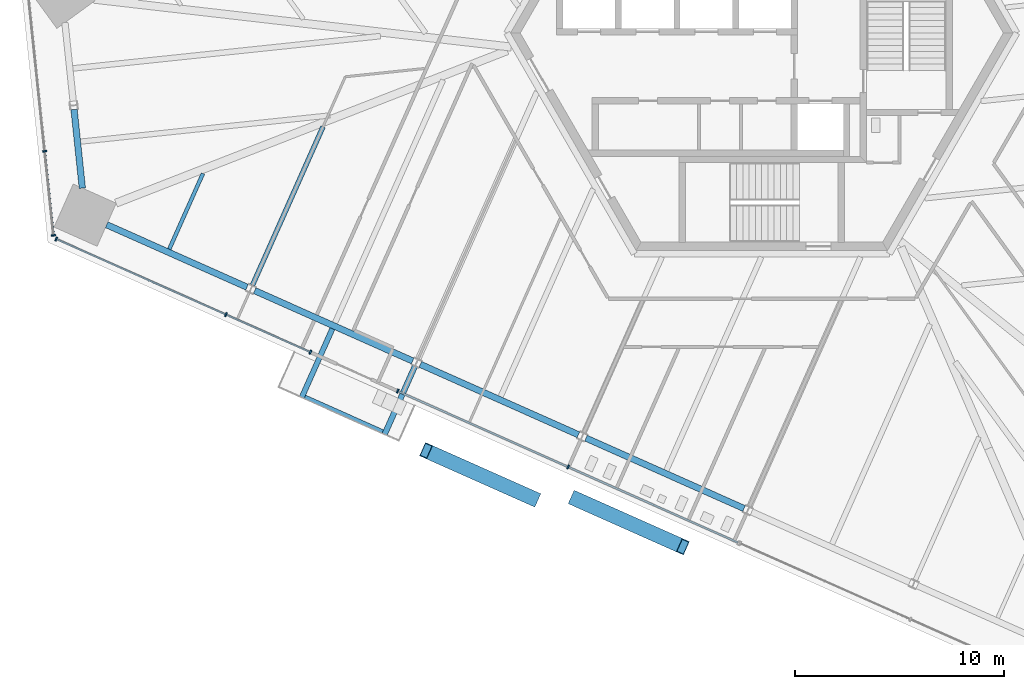
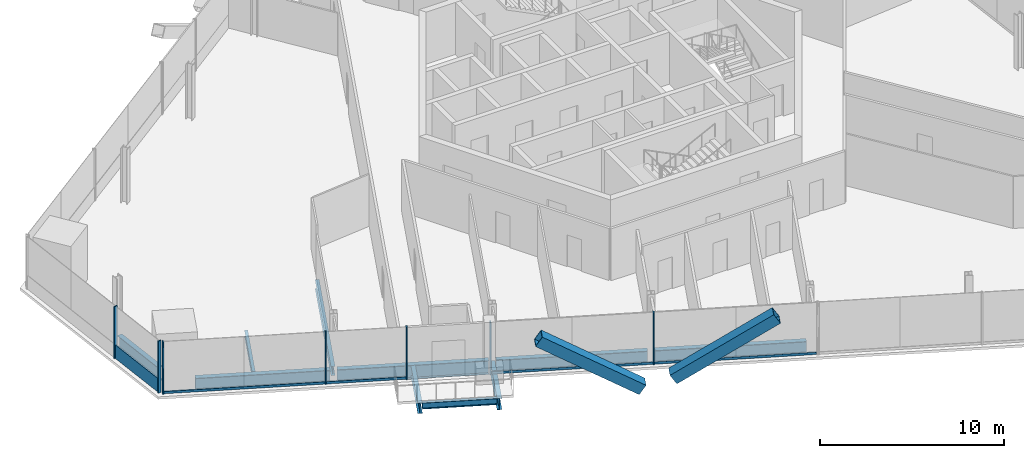
# One storey, part 3 of 19: 14 members, 10 beams, 3 elements without a shape of their own.
"""IFC4 building model written with IfcOpenShell, lengths in metres."""

from ifc_helpers import new_model, si_unit, direction, frame, origin, origin_2d, place, context, subcontext, project, spatial, rectangle, hollow_rectangle, i_section, extrude, source, transform, mapped, material, material_profile, profile_set, type_object, element, aggregate, save


model = new_model("IFC4")

# Units and contexts
model_context = context("Model", 3, precision=1e-05, world=origin(), true_north=direction((0.0, 1.0)))
body_context = subcontext(model_context, "Body", "Model", "MODEL_VIEW")
ifc_project = project(units=[si_unit("LENGTHUNIT", "METRE"), si_unit("AREAUNIT", "SQUARE_METRE"), si_unit("VOLUMEUNIT", "CUBIC_METRE"), si_unit("PLANEANGLEUNIT", "RADIAN"), si_unit("MASSUNIT", "GRAM", prefix="KILO")], contexts=[model_context])

# Site, building, storey
site_placement = place(None, origin())
site = spatial("IfcSite", under=ifc_project, at=site_placement, CompositionType="ELEMENT")
building_placement = place(site_placement, origin())
building = spatial("IfcBuilding", under=site, at=building_placement, Name="Triune Harvest Tower", CompositionType="ELEMENT")
storey_placement = place(building_placement, frame((0.0, 0.0, 76.5)))
storey = spatial("IfcBuildingStorey", under=building, at=storey_placement, Name="L18", CompositionType="ELEMENT", Elevation=76.5)

# Member
ifc_material_1 = material(Name="Steel ASTM A572 Gr 50", Category="steel")
ifc_material_profile_1 = material_profile(ifc_material_1, hollow_rectangle(XDim=0.699951171875, YDim=0.699951171875, WallThickness=0.0400390625, at=origin_2d()), Name="Box 700x700x40")
ifc_profile_set_1 = profile_set([ifc_material_profile_1], Name="Steel ASTM A572 Gr 50")
member_type_1 = type_object("IfcMemberType", Name="BR-1 Brace Box 700x700x40", PredefinedType="BRACE", material=ifc_profile_set_1)
member_1_placement = place(storey_placement, frame((-10.871826171875, -22.24951171875, 0.0), z_axis=(-0.770574964733, 0.343088895903, 0.53712590073), x_axis=(-0.406743388258, -0.913542454464, 0.0)))
element("IfcMember", 1, at=member_1_placement, inside=storey, type_object=member_type_1, Name="brace/B2-F5/d2/6", PredefinedType="BRACE", context=body_context, shape_type="SweptSolid", body=[
    extrude(hollow_rectangle(XDim=0.699951171875, YDim=0.699951171875, WallThickness=0.0400390625, at=origin_2d()), origin(), (0.0, 0.0, 1.0), 6.70263671875),
])

# Beams
ifc_material_2 = material(Name="Steel ASTM A992 Gr 50", Category="steel")
ifc_material_profile_2 = material_profile(ifc_material_2, i_section(OverallWidth=0.3046875, OverallDepth=0.914306640625, WebThickness=0.0166015625, FlangeThickness=0.02587890625, at=origin_2d()), Name="W36x160")
ifc_profile_set_2 = profile_set([ifc_material_profile_2], Name="Steel ASTM A992 Gr 50")
beam_type_1 = type_object("IfcBeamType", Name="SB-1 Spandrel beam W36x160", PredefinedType="SPANDREL", material=ifc_profile_set_2)
shared_shape_1 = source(origin(), body_context, "Body", "SweptSolid", [
    extrude(i_section(OverallWidth=0.3046875, OverallDepth=0.914306640625, WebThickness=0.0166015625, FlangeThickness=0.02587890625, at=origin_2d()), origin(), (0.0, 0.0, 1.0), 7.337890625),
])
beam_1_placement = place(storey_placement, frame((-31.29150390625, -9.156982421875, -0.6171875), z_axis=(0.913558923036, -0.40670639796, 0.0), x_axis=(0.40670639796, 0.913558923036, 0.0)))
element("IfcBeam", 2, at=beam_1_placement, inside=storey, type_object=beam_type_1, Name="beam/L18/SB17", PredefinedType="SPANDREL", context=body_context, shape_type="MappedRepresentation", body=[
    mapped(shared_shape_1, transform((0.0, 0.0, 0.0), scale=1.0)),
])
shared_shape_2 = source(origin(), body_context, "Body", "SweptSolid", [
    extrude(i_section(OverallWidth=0.3046875, OverallDepth=0.914306640625, WebThickness=0.0166015625, FlangeThickness=0.02587890625, at=origin_2d()), origin(), (0.0, 0.0, 1.0), 8.263427734375),
])
for number, where, z_axis, x_axis, name in (
    (3, (-24.2236328125, -12.3037109375, -0.6171875), (0.913544537455, -0.406738709846, 0.0), (0.406738709846, 0.913544537455, 0.0), "beam/L18/SB18"),
    (4, (-16.310302734375, -15.826904296875, -0.6171875), (0.913544537455, -0.406738709846, 0.0), (0.406738709846, 0.913544537455, 0.0), "beam/L18/SB19"),
    (5, (-8.39697265625, -19.35009765625, -0.6171875), (0.913544537455, -0.406738709846, 0.0), (0.406738709846, 0.913544537455, 0.0), "beam/L18/SB20"),
):
    element("IfcBeam", number, at=place(storey_placement, frame(where, z_axis=z_axis, x_axis=x_axis)), inside=storey, type_object=beam_type_1, Name=name, PredefinedType="SPANDREL", context=body_context, shape_type="MappedRepresentation", body=[
        mapped(shared_shape_2, transform((0.0, 0.0, 0.0), scale=1.0)),
    ])
shared_shape_3 = source(origin(), body_context, "Body", "SweptSolid", [
    extrude(i_section(OverallWidth=0.3046875, OverallDepth=0.914306640625, WebThickness=0.0166015625, FlangeThickness=0.02587890625, at=origin_2d()), origin(), (0.0, 0.0, 1.0), 3.775146484375),
])
beam_2_placement = place(storey_placement, frame((-32.849609375, -3.653076171875, -0.6171875), z_axis=(0.104573690763, -0.994517140727, 0.0), x_axis=(0.994517140727, 0.104573690763, 0.0)))
element("IfcBeam", 6, at=beam_2_placement, inside=storey, type_object=beam_type_1, Name="beam/L18/SB16", PredefinedType="SPANDREL", context=body_context, shape_type="MappedRepresentation", body=[
    mapped(shared_shape_3, transform((0.0, 0.0, 0.0), scale=1.0)),
])
ifc_material_3 = material(Name="Steel ASTM A992 Gr 50", Category="steel")
ifc_material_profile_3 = material_profile(ifc_material_3, i_section(OverallWidth=0.180908203125, OverallDepth=0.41650390625, WebThickness=0.010986328125, FlangeThickness=0.01806640625, at=origin_2d()), Name="W16x57")
ifc_profile_set_3 = profile_set([ifc_material_profile_3], Name="Steel ASTM A992 Gr 50")
beam_type_2 = type_object("IfcBeamType", Name="JT-1 Floor joist W16x57", PredefinedType="JOIST", material=ifc_profile_set_3)
shared_shape_4 = source(origin(), body_context, "Body", "SweptSolid", [
    extrude(i_section(OverallWidth=0.180908203125, OverallDepth=0.41650390625, WebThickness=0.010986328125, FlangeThickness=0.01806640625, at=origin_2d()), origin(), (0.0, 0.0, 1.0), 3.95068359375),
])
beam_3_placement = place(storey_placement, frame((-28.300537109375, -10.32177734375, -0.368408203125), z_axis=(0.406746150359, 0.913541224668, 0.0), x_axis=(-0.913541224668, 0.406746150359, 0.0)))
element("IfcBeam", 7, at=beam_3_placement, inside=storey, type_object=beam_type_2, Name="beam/L18/JT27", PredefinedType="JOIST", context=body_context, shape_type="MappedRepresentation", body=[
    mapped(shared_shape_4, transform((0.0, 0.0, 0.0), scale=1.0)),
])
ifc_material_4 = material(Name="Steel ASTM A992 Gr 50", Category="steel")
ifc_material_profile_4 = material_profile(ifc_material_4, i_section(OverallWidth=0.22900390625, OverallDepth=0.612060546875, WebThickness=0.011962890625, FlangeThickness=0.01953125, at=origin_2d()), Name="W24x84")
ifc_profile_set_4 = profile_set([ifc_material_profile_4], Name="Steel ASTM A992 Gr 50")
beam_type_3 = type_object("IfcBeamType", Name="JT-3 Floor joist W24x84", PredefinedType="JOIST", material=ifc_profile_set_4)
shared_shape_5 = source(origin(), body_context, "Body", "SweptSolid", [
    extrude(i_section(OverallWidth=0.22900390625, OverallDepth=0.612060546875, WebThickness=0.011962890625, FlangeThickness=0.01953125, at=origin_2d()), origin(), (0.0, 0.0, 1.0), 8.28173828125),
])
beam_4_placement = place(storey_placement, frame((-24.32568359375, -12.042724609375, -0.466064453125), z_axis=(0.406731926006, 0.913547557803, 0.0), x_axis=(-0.913547557803, 0.406731926006, 0.0)))
element("IfcBeam", 8, at=beam_4_placement, inside=storey, type_object=beam_type_3, Name="beam/L18/JT28", PredefinedType="JOIST", context=body_context, shape_type="MappedRepresentation", body=[
    mapped(shared_shape_5, transform((0.0, 0.0, 0.0), scale=1.0)),
])

# Member
shared_shape_6 = source(origin(), body_context, "Body", "SweptSolid", [
    extrude(hollow_rectangle(XDim=0.699951171875, YDim=0.699951171875, WallThickness=0.0400390625, at=origin_2d()), origin(), (0.0, 0.0, 1.0), 6.702392578125),
])
member_2_placement = place(storey_placement, frame((-8.934326171875, -22.236328125, 0.0), z_axis=(0.770560167678, -0.343098526017, 0.537140977242), x_axis=(0.40675943476, 0.91353530979, 0.0)))
element("IfcMember", 9, at=member_2_placement, inside=storey, type_object=member_type_1, Name="brace/B2-F5/d1/6", PredefinedType="BRACE", context=body_context, shape_type="MappedRepresentation", body=[
    mapped(shared_shape_6, transform((0.0, 0.0, 0.0), scale=1.0)),
])

# Curtain wall, members
ifc_material_5 = material(Name="Aluminium bronze anodised", Category="aluminium")
curtain_wall_type_1 = type_object("IfcCurtainWallType", Name="CW-1 Tower stick curtain wall", PredefinedType="NOTDEFINED", material=ifc_material_5)
curtain_wall_1_placement = place(storey_placement, origin())
curtain_wall_1 = element("IfcCurtainWall", 10, at=curtain_wall_1_placement, inside=storey, type_object=curtain_wall_type_1, Name="CW-1 B2-F4 L18 run 1")
ifc_material_6 = material(Name="Aluminium bronze anodised", Category="aluminium")
ifc_material_profile_5 = material_profile(ifc_material_6, rectangle(XDim=0.199951171875, YDim=0.074951171875, at=origin_2d()), Name="MU-1 mullion 75 x 200")
ifc_profile_set_5 = profile_set([ifc_material_profile_5], Name="Aluminium bronze anodised")
member_type_2 = type_object("IfcMemberType", Name="MU-1 mullion 75 x 200", PredefinedType="MULLION", material=ifc_profile_set_5)
shared_shape_7 = source(origin(), body_context, "Body", "SweptSolid", [
    extrude(rectangle(XDim=0.199951171875, YDim=0.074951171875, at=origin_2d()), origin(), (0.0, 0.0, 1.0), 3.43994140625),
])
member_3_placement = place(storey_placement, frame((-34.25390625, -5.648193359375, 0.0), z_axis=(0.0, 0.0, 1.0), x_axis=(0.994521790334, 0.104529462601, 0.0)))
member_3 = element("IfcMember", 11, at=member_3_placement, type_object=member_type_2, Name="CW-1 mullion B2-F4 1.3", PredefinedType="MULLION", context=body_context, shape_type="MappedRepresentation", body=[
    mapped(shared_shape_7, transform((0.0, 0.0, 0.0), scale=1.0)),
])
member_4_placement = place(storey_placement, frame((-33.83203125, -9.662109375, 0.0), z_axis=(0.0, 0.0, 1.0), x_axis=(0.994521790334, 0.104529462601, 0.0)))
member_4 = element("IfcMember", 12, at=member_4_placement, type_object=member_type_2, Name="CW-1 mullion B2-F4 1.4", PredefinedType="MULLION", context=body_context, shape_type="MappedRepresentation", body=[
    mapped(shared_shape_7, transform((0.0, 0.0, 0.0), scale=1.0)),
])
ifc_material_7 = material(Name="Aluminium bronze anodised", Category="aluminium")
ifc_material_profile_6 = material_profile(ifc_material_7, rectangle(XDim=0.090087890625, YDim=0.89990234375, at=origin_2d()), Name="TR-1 transom 90 x 900")
ifc_profile_set_6 = profile_set([ifc_material_profile_6], Name="Aluminium bronze anodised")
member_type_3 = type_object("IfcMemberType", Name="TR-1 transom 90 x 900", PredefinedType="USERDEFINED", material=ifc_profile_set_6)
shared_shape_8 = source(origin(), body_context, "Body", "SweptSolid", [
    extrude(rectangle(XDim=0.090087890625, YDim=0.89990234375, at=origin_2d()), origin(), (0.0, 0.0, 1.0), 3.9609375),
])
member_5_placement = place(storey_placement, frame((-34.25, -5.685546875, 0.449951171875), z_axis=(0.104537191117, -0.994520977996, 0.0), x_axis=(0.994520977996, 0.104537191117, 0.0)))
member_5 = element("IfcMember", 13, at=member_5_placement, type_object=member_type_3, Name="CW-1 transom B2-F4 1.2", ObjectType="TRANSOM", PredefinedType="USERDEFINED", context=body_context, shape_type="MappedRepresentation", body=[
    mapped(shared_shape_8, transform((0.0, 0.0, 0.0), scale=1.0)),
])
aggregate(curtain_wall_1, [member_3, member_4, member_5])

ifc_material_8 = material(Name="Aluminium bronze anodised", Category="aluminium")
curtain_wall_type_2 = type_object("IfcCurtainWallType", Name="CW-6 Balcony window wall", PredefinedType="NOTDEFINED", material=ifc_material_8)
curtain_wall_2_placement = place(storey_placement, origin())
curtain_wall_2 = element("IfcCurtainWall", 14, at=curtain_wall_2_placement, inside=storey, type_object=curtain_wall_type_2, Name="CW-6 B2-F5 L18 run 1")
ifc_material_9 = material(Name="Aluminium bronze anodised", Category="aluminium")
ifc_material_profile_7 = material_profile(ifc_material_9, rectangle(XDim=0.199951171875, YDim=0.074951171875, at=origin_2d()), Name="MU-6 mullion 75 x 200")
ifc_profile_set_7 = profile_set([ifc_material_profile_7], Name="Aluminium bronze anodised")
member_type_4 = type_object("IfcMemberType", Name="MU-6 mullion 75 x 200", PredefinedType="MULLION", material=ifc_profile_set_7)
shared_shape_9 = source(origin(), body_context, "Body", "SweptSolid", [
    extrude(rectangle(XDim=0.199951171875, YDim=0.074951171875, at=origin_2d()), origin(), (0.0, 0.0, 1.0), 3.43994140625),
])
member_6_placement = place(storey_placement, frame((-33.7021484375, -9.840576171875, 0.0), z_axis=(0.0, 0.0, 1.0), x_axis=(0.406737205721, 0.913545207137, 0.0)))
member_6 = element("IfcMember", 15, at=member_6_placement, type_object=member_type_4, Name="CW-6 mullion B2-F5 1.1", PredefinedType="MULLION", context=body_context, shape_type="MappedRepresentation", body=[
    mapped(shared_shape_9, transform((0.0, 0.0, 0.0), scale=1.0)),
])
member_7_placement = place(storey_placement, frame((-25.595703125, -13.449951171875, 0.0), z_axis=(0.0, 0.0, 1.0), x_axis=(0.406737205721, 0.913545207137, 0.0)))
member_7 = element("IfcMember", 16, at=member_7_placement, type_object=member_type_4, Name="CW-6 mullion B2-F5 1.3", PredefinedType="MULLION", context=body_context, shape_type="MappedRepresentation", body=[
    mapped(shared_shape_9, transform((0.0, 0.0, 0.0), scale=1.0)),
])
member_8_placement = place(storey_placement, frame((-21.5595703125, -15.246826171875, 0.0), z_axis=(0.0, 0.0, 1.0), x_axis=(0.406737205721, 0.913545207137, 0.0)))
member_8 = element("IfcMember", 17, at=member_8_placement, type_object=member_type_4, Name="CW-6 mullion B2-F5 1.4", PredefinedType="MULLION", context=body_context, shape_type="MappedRepresentation", body=[
    mapped(shared_shape_9, transform((0.0, 0.0, 0.0), scale=1.0)),
])

ifc_material_10 = material(Name="Aluminium bronze anodised", Category="aluminium")
curtain_wall_type_3 = type_object("IfcCurtainWallType", Name="CW-10 Balcony window wall with insulated spandrel infill", PredefinedType="NOTDEFINED", material=ifc_material_10)
curtain_wall_3_placement = place(storey_placement, origin())
curtain_wall_3 = element("IfcCurtainWall", 18, at=curtain_wall_3_placement, inside=storey, type_object=curtain_wall_type_3, Name="CW-10 B2-F5 L18 run 2")
member_9_placement = place(storey_placement, frame((-17.393310546875, -17.101806640625, 0.0), z_axis=(0.0, 0.0, 1.0), x_axis=(0.406737155783, 0.91354522937, 0.0)))
member_9 = element("IfcMember", 19, at=member_9_placement, type_object=member_type_4, Name="CW-10 mullion B2-F5 2.1", PredefinedType="MULLION", context=body_context, shape_type="MappedRepresentation", body=[
    mapped(shared_shape_9, transform((0.0, 0.0, 0.0), scale=1.0)),
])
member_10_placement = place(storey_placement, frame((-9.25244140625, -20.726318359375, 0.0), z_axis=(0.0, 0.0, 1.0), x_axis=(0.406737155783, 0.91354522937, 0.0)))
member_10 = element("IfcMember", 20, at=member_10_placement, type_object=member_type_4, Name="CW-10 mullion B2-F5 2.3", PredefinedType="MULLION", context=body_context, shape_type="MappedRepresentation", body=[
    mapped(shared_shape_9, transform((0.0, 0.0, 0.0), scale=1.0)),
])

# Beams
ifc_material_11 = material(Name="Steel ASTM A992 Gr 50", Category="steel")
ifc_material_profile_8 = material_profile(ifc_material_11, i_section(OverallWidth=0.253662109375, OverallDepth=0.683349609375, WebThickness=0.012451171875, FlangeThickness=0.01904296875, at=origin_2d()), Name="W27x94")
ifc_profile_set_8 = profile_set([ifc_material_profile_8], Name="Steel ASTM A992 Gr 50")
beam_type_4 = type_object("IfcBeamType", Name="BJ-4 Balcony cantilever joist W27x94", PredefinedType="JOIST", material=ifc_profile_set_8)
shared_shape_10 = source(origin(), body_context, "Body", "SweptSolid", [
    extrude(i_section(OverallWidth=0.253662109375, OverallDepth=0.683349609375, WebThickness=0.012451171875, FlangeThickness=0.01904296875, at=origin_2d()), origin(), (0.0, 0.0, 1.0), 3.59765625),
])
beam_5_placement = place(storey_placement, frame((-20.510986328125, -14.123291015625, -0.501708984375), z_axis=(-0.406755413658, -0.91353710021, 0.0), x_axis=(0.91353710021, -0.406755413658, 0.0)))
element("IfcBeam", 21, at=beam_5_placement, inside=storey, type_object=beam_type_4, Name="Balcony cantilever joist B2-F5 L18.4a", PredefinedType="JOIST", context=body_context, shape_type="MappedRepresentation", body=[
    mapped(shared_shape_10, transform((0.0, 0.0, 0.0), scale=1.0)),
])
ifc_material_12 = material(Name="Steel ASTM A992 Gr 50", Category="steel")
ifc_material_profile_9 = material_profile(ifc_material_12, i_section(OverallWidth=0.180908203125, OverallDepth=0.41650390625, WebThickness=0.010986328125, FlangeThickness=0.01806640625, at=origin_2d()), Name="W16x57")
ifc_profile_set_9 = profile_set([ifc_material_profile_9], Name="Steel ASTM A992 Gr 50")
beam_type_5 = type_object("IfcBeamType", Name="BE-1 balcony edge beam W16x57", PredefinedType="BEAM", material=ifc_profile_set_9)
shared_shape_11 = source(origin(), body_context, "Body", "SweptSolid", [
    extrude(i_section(OverallWidth=0.180908203125, OverallDepth=0.41650390625, WebThickness=0.010986328125, FlangeThickness=0.01806640625, at=origin_2d()), origin(), (0.0, 0.0, 1.0), 4.07080078125),
])
beam_6_placement = place(storey_placement, frame((-21.821533203125, -17.37890625, -0.368408203125), z_axis=(0.913539292034, -0.406750490978, 0.0), x_axis=(0.406750490978, 0.913539292034, 0.0)))
element("IfcBeam", 22, at=beam_6_placement, inside=storey, type_object=beam_type_5, Name="Balcony edge beam B2-F5 L18.4", PredefinedType="BEAM", context=body_context, shape_type="MappedRepresentation", body=[
    mapped(shared_shape_11, transform((0.0, 0.0, 0.0), scale=1.0)),
])

# Member
ifc_material_13 = material(Name="Aluminium bronze anodised", Category="aluminium")
ifc_material_profile_10 = material_profile(ifc_material_13, rectangle(XDim=0.090087890625, YDim=0.14990234375, at=origin_2d()), Name="TR-6 transom 90 x 150")
ifc_profile_set_10 = profile_set([ifc_material_profile_10], Name="Aluminium bronze anodised")
member_type_5 = type_object("IfcMemberType", Name="TR-6 transom 90 x 150", PredefinedType="USERDEFINED", material=ifc_profile_set_10)
shared_shape_12 = source(origin(), body_context, "Body", "SweptSolid", [
    extrude(rectangle(XDim=0.090087890625, YDim=0.14990234375, at=origin_2d()), origin(), (0.0, 0.0, 1.0), 8.836181640625),
])
member_11_placement = place(storey_placement, frame((-9.21826171875, -20.74169921875, 0.074951171875), z_axis=(0.913545881142, -0.406735691879, 0.0), x_axis=(0.406735691879, 0.913545881142, 0.0)))
member_11 = element("IfcMember", 23, at=member_11_placement, type_object=member_type_5, Name="CW-10 transom B2-F5 2.2", ObjectType="TRANSOM", PredefinedType="USERDEFINED", context=body_context, shape_type="MappedRepresentation", body=[
    mapped(shared_shape_12, transform((0.0, 0.0, 0.0), scale=1.0)),
])

shared_shape_13 = source(origin(), body_context, "Body", "SweptSolid", [
    extrude(rectangle(XDim=0.090087890625, YDim=0.14990234375, at=origin_2d()), origin(), (0.0, 0.0, 1.0), 8.798828125),
])
member_12_placement = place(storey_placement, frame((-33.66796875, -9.85595703125, 0.074951171875), z_axis=(0.913552769807, -0.406720219288, 0.0), x_axis=(0.406720219288, 0.913552769807, 0.0)))
member_12 = element("IfcMember", 24, at=member_12_placement, type_object=member_type_5, Name="CW-6 transom B2-F5 1.1", ObjectType="TRANSOM", PredefinedType="USERDEFINED", context=body_context, shape_type="MappedRepresentation", body=[
    mapped(shared_shape_13, transform((0.0, 0.0, 0.0), scale=1.0)),
])

shared_shape_14 = source(origin(), body_context, "Body", "SweptSolid", [
    extrude(rectangle(XDim=0.090087890625, YDim=0.14990234375, at=origin_2d()), origin(), (0.0, 0.0, 1.0), 4.343017578125),
])
member_13_placement = place(storey_placement, frame((-25.561279296875, -13.465087890625, 0.074951171875), z_axis=(0.913533162076, -0.406764258248, 0.0), x_axis=(0.406764258248, 0.913533162076, 0.0)))
member_13 = element("IfcMember", 25, at=member_13_placement, type_object=member_type_5, Name="CW-6 transom B2-F5 1.2", ObjectType="TRANSOM", PredefinedType="USERDEFINED", context=body_context, shape_type="MappedRepresentation", body=[
    mapped(shared_shape_14, transform((0.0, 0.0, 0.0), scale=1.0)),
])

aggregate(curtain_wall_2, [member_6, member_7, member_8, member_12, member_13])

# Beam
ifc_material_14 = material(Name="Steel ASTM A992 Gr 50", Category="steel")
ifc_material_profile_11 = material_profile(ifc_material_14, i_section(OverallWidth=0.2666015625, OverallDepth=0.7568359375, WebThickness=0.013916015625, FlangeThickness=0.019287109375, at=origin_2d()), Name="W30x108")
ifc_profile_set_11 = profile_set([ifc_material_profile_11], Name="Steel ASTM A992 Gr 50")
beam_type_6 = type_object("IfcBeamType", Name="BJ-5 Balcony cantilever joist W30x108", PredefinedType="JOIST", material=ifc_profile_set_11)
shared_shape_15 = source(origin(), body_context, "Body", "SweptSolid", [
    extrude(i_section(OverallWidth=0.2666015625, OverallDepth=0.7568359375, WebThickness=0.013916015625, FlangeThickness=0.019287109375, at=origin_2d()), origin(), (0.0, 0.0, 1.0), 3.597412109375),
])
beam_7_placement = place(storey_placement, frame((-16.554443359375, -15.885009765625, -0.53857421875), z_axis=(-0.406723993675, -0.913551089414, 0.0), x_axis=(0.913551089414, -0.406723993675, 0.0)))
element("IfcBeam", 26, at=beam_7_placement, inside=storey, type_object=beam_type_6, Name="Balcony cantilever joist B2-F5 L18.4b", PredefinedType="JOIST", context=body_context, shape_type="MappedRepresentation", body=[
    mapped(shared_shape_15, transform((0.0, 0.0, 0.0), scale=1.0)),
])

# Member
shared_shape_16 = source(origin(), body_context, "Body", "SweptSolid", [
    extrude(rectangle(XDim=0.090087890625, YDim=0.14990234375, at=origin_2d()), origin(), (0.0, 0.0, 1.0), 8.8359375),
])
member_14_placement = place(storey_placement, frame((-17.35888671875, -17.1171875, 0.074951171875), z_axis=(0.913541310092, -0.406745958499, 0.0), x_axis=(0.406745958499, 0.913541310092, 0.0)))
member_14 = element("IfcMember", 27, at=member_14_placement, type_object=member_type_5, Name="CW-10 transom B2-F5 2.1", ObjectType="TRANSOM", PredefinedType="USERDEFINED", context=body_context, shape_type="MappedRepresentation", body=[
    mapped(shared_shape_16, transform((0.0, 0.0, 0.0), scale=1.0)),
])

aggregate(curtain_wall_3, [member_9, member_10, member_14, member_11])

save(model, "model.ifc")
